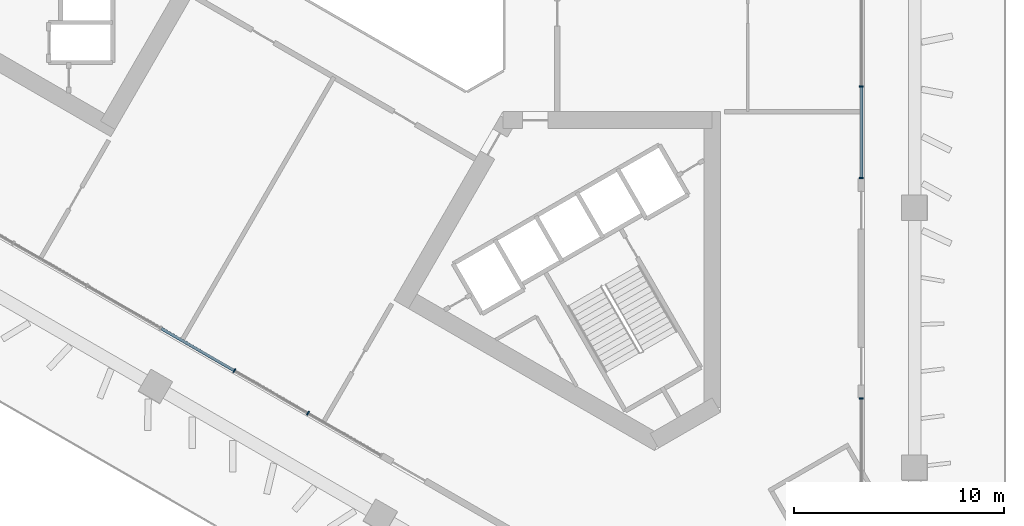
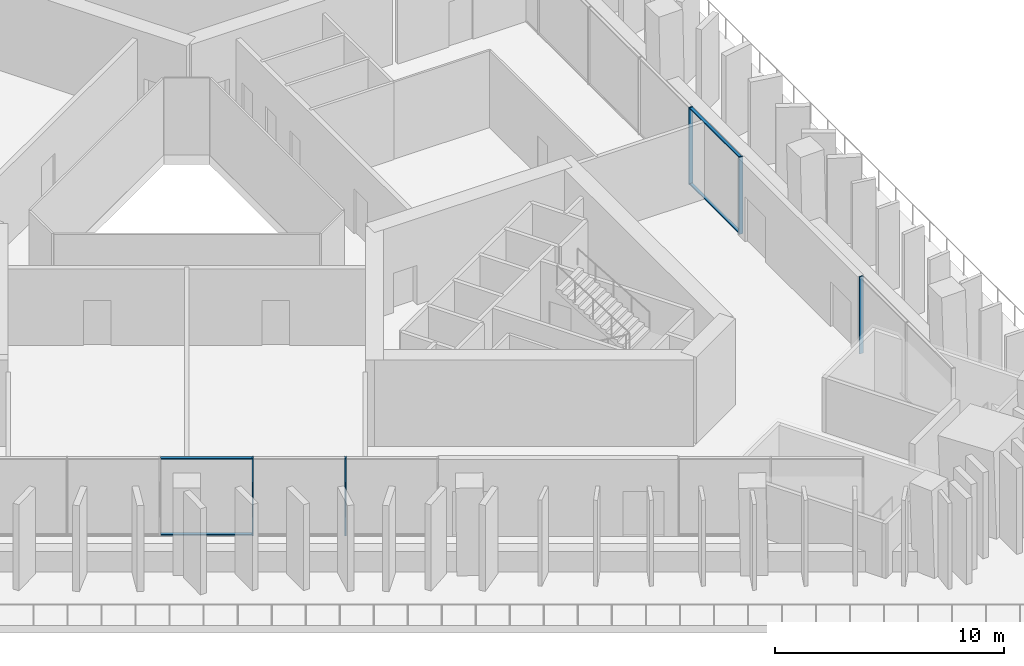
# One storey, part 4 of 31: 9 members, 3 elements without a shape of their own.
"""IFC4 building model written with IfcOpenShell, lengths in metres."""

import ifcopenshell
import ifcopenshell.guid

model = None  # the IFC model being written
_history = None  # IfcOwnerHistory: only IFC2X3 demands one
_inside = {}  # id of a spatial element -> (the spatial element, [elements in it])
_under = {}  # id of a project, library or spatial element -> (it, [spatial elements below it])
_declared = {}  # id of a project -> (the project, [libraries it declares])
_typed = {}  # id of a type object -> (the type object, [elements of that type])
_made_of = {}  # id of a material, layer set ... -> (it, [elements and type objects made of it])


def new_model(schema):
    """Start an empty IFC model of exactly this schema.

    Asked for "IFC4X3", IfcOpenShell would pick the latest addendum, in which some entities
    have other attributes; the version numbers below select the first issue.
    IFC2X3 requires an IfcOwnerHistory on every rooted entity: one is made here for all.
    """
    global model, _history
    if schema == "IFC4X3":
        model = ifcopenshell.file(schema_version=(4, 3, 0, 0))
    else:
        model = ifcopenshell.file(schema=schema)
    _inside.clear()
    _under.clear()
    _declared.clear()
    _typed.clear()
    _made_of.clear()
    _history = None
    if model.schema == "IFC2X3":
        org = make("IfcOrganization", Name="unknown")
        user = make(
            "IfcPersonAndOrganization",
            ThePerson=make("IfcPerson", FamilyName="unknown"),
            TheOrganization=org,
        )
        app = make(
            "IfcApplication",
            ApplicationDeveloper=org,
            Version="unknown",
            ApplicationFullName="unknown",
            ApplicationIdentifier="unknown",
        )
        _history = make(
            "IfcOwnerHistory",
            OwningUser=user,
            OwningApplication=app,
            ChangeAction="ADDED",
            CreationDate=0,
        )
    return model


def make(cls, **values):
    """One entity of the class cls with the attributes given. An attribute that is None is left unset."""
    return model.create_entity(
        cls, **{name: value for name, value in values.items() if value is not None}
    )


def rooted(cls, **values):
    """An entity with a GlobalId (a new one), such as an element, a storey or a relation."""
    return make(cls, GlobalId=ifcopenshell.guid.new(), OwnerHistory=_history, **values)


def si_unit(unit_type, name, prefix=None):
    """IfcSIUnit, for example si_unit("LENGTHUNIT", "METRE", prefix="MILLI")."""
    return make("IfcSIUnit", UnitType=unit_type, Prefix=prefix, Name=name)


def assignment(units):
    """IfcUnitAssignment: the units of a project."""
    return None if units is None else make("IfcUnitAssignment", Units=units)


def point(xyz):
    """IfcCartesianPoint."""
    return None if xyz is None else make("IfcCartesianPoint", Coordinates=xyz)


def direction(xyz):
    """IfcDirection."""
    return None if xyz is None else make("IfcDirection", DirectionRatios=xyz)


def frame(location, z_axis=None, x_axis=None):
    """IfcAxis2Placement3D, a coordinate frame: its origin and axes. An axis left out is left unset."""
    return make(
        "IfcAxis2Placement3D",
        Location=point(location),
        Axis=direction(z_axis),
        RefDirection=direction(x_axis),
    )


def frame_2d(location, x_axis=None):
    """IfcAxis2Placement2D, a coordinate frame in the plane: its origin and x axis."""
    return make(
        "IfcAxis2Placement2D", Location=point(location), RefDirection=direction(x_axis)
    )


def origin():
    """The frame at (0, 0, 0) with its axes left unset."""
    return frame((0.0, 0.0, 0.0))


def origin_2d():
    """The frame at (0, 0) in the plane with its x axis left unset."""
    return frame_2d((0.0, 0.0))


def place(relative_to, where):
    """IfcLocalPlacement: puts the frame where relative to a parent placement (None: the world)."""
    return make(
        "IfcLocalPlacement", PlacementRelTo=relative_to, RelativePlacement=where
    )


def context(
    kind, dimensions, precision=None, world=None, true_north=None, identifier=None
):
    """IfcGeometricRepresentationContext, for example the 3D "Model" context."""
    return make(
        "IfcGeometricRepresentationContext",
        ContextIdentifier=identifier,
        ContextType=kind,
        CoordinateSpaceDimension=dimensions,
        Precision=precision,
        WorldCoordinateSystem=world,
        TrueNorth=true_north,
    )


def subcontext(parent, identifier, kind, view, scale=None):
    """IfcGeometricRepresentationSubContext, for example "Body" below "Model"."""
    return make(
        "IfcGeometricRepresentationSubContext",
        ContextIdentifier=identifier,
        ContextType=kind,
        ParentContext=parent,
        TargetScale=scale,
        TargetView=view,
    )


def project(units=None, contexts=None):
    """IfcProject with its units and contexts."""
    return rooted(
        "IfcProject",
        Name="project",
        RepresentationContexts=contexts,
        UnitsInContext=assignment(units),
    )


def spatial(cls, under=None, at=None, **own):
    """A site, building, storey or space (cls), placed at a placement, below another one or the project."""
    s = rooted(cls, ObjectPlacement=at, **own)
    if under is not None:
        _under.setdefault(under.id(), (under, []))[1].append(s)
    return s


def profile(cls, at=None, kind="AREA", **sizes):
    """A parametric profile (cls). Its sizes go by their IFC names, for example OverallWidth=200.0."""
    return make(cls, ProfileType=kind, Position=at, **sizes)


def rectangle(**sizes):
    """IfcRectangleProfileDef."""
    return profile("IfcRectangleProfileDef", **sizes)


def extrude(swept, where, along, depth):
    """IfcExtrudedAreaSolid: the profile swept, set in the frame where, extruded along a direction by depth."""
    return make(
        "IfcExtrudedAreaSolid",
        SweptArea=swept,
        Position=where,
        ExtrudedDirection=direction(along),
        Depth=depth,
    )


def shape(context_of_items, identifier, shape_type, items):
    """IfcShapeRepresentation: the items that make up one representation, for example the "Body"."""
    return make(
        "IfcShapeRepresentation",
        ContextOfItems=context_of_items,
        RepresentationIdentifier=identifier,
        RepresentationType=shape_type,
        Items=items,
    )


def material(Name=None, Category=None):
    """IfcMaterial."""
    return make("IfcMaterial", Name=Name, Category=Category)


def layer(
    of_material, thickness, ventilated=None, Name=None, Category=None, Priority=None
):
    """IfcMaterialLayer: one layer of a wall or slab, of a material (None: an air gap)."""
    return make(
        "IfcMaterialLayer",
        Material=of_material,
        LayerThickness=thickness,
        IsVentilated=ventilated,
        Name=Name,
        Category=Category,
        Priority=Priority,
    )


def layer_set(layers, Name=None):
    """IfcMaterialLayerSet."""
    return make("IfcMaterialLayerSet", MaterialLayers=layers, LayerSetName=Name)


def material_profile(
    of_material, cross_section, Name=None, Category=None, Priority=None
):
    """IfcMaterialProfile: a cross section and its material."""
    return make(
        "IfcMaterialProfile",
        Name=Name,
        Material=of_material,
        Profile=cross_section,
        Priority=Priority,
        Category=Category,
    )


def profile_set(profiles, Name=None, composite=None):
    """IfcMaterialProfileSet."""
    return make(
        "IfcMaterialProfileSet",
        Name=Name,
        MaterialProfiles=profiles,
        CompositeProfile=composite,
    )


def made_of(thing, what):
    """Note that an element or type object is made of a material, layer set ...; save() writes the relation."""
    if what is not None:
        _made_of.setdefault(what.id(), (what, []))[1].append(thing)
    return thing


def type_object(cls, material=None, **own):
    """A type object (cls), such as IfcWallType, which elements share."""
    return made_of(rooted(cls, **own), material)


def element(
    cls,
    number,
    at=None,
    inside=None,
    cuts=None,
    type_object=None,
    material=None,
    context=None,
    identifier="Body",
    shape_type=None,
    held_by="IfcProductDefinitionShape",
    body=None,
    shapes=None,
    **own,
):
    """One element of the class cls, such as IfcWall. Its Tag is "e" and its number.

    at: its placement. inside: the storey or other place that contains it. cuts: it is an
    opening in that element (IfcRelVoidsElement). A single representation is given by context,
    identifier, shape_type and body (its items); several are given by shapes. held_by: the class
    of the entity that holds the representations. save() writes the other relations.
    """
    e = rooted(cls, Tag="e%d" % number, ObjectPlacement=at, **own)
    if body is not None:
        shapes = [shape(context, identifier, shape_type, body)]
    if shapes is not None:
        e.Representation = make(held_by, Representations=shapes)
    if inside is not None:
        _inside.setdefault(inside.id(), (inside, []))[1].append(e)
    if cuts is not None:
        rooted(
            "IfcRelVoidsElement", RelatingBuildingElement=cuts, RelatedOpeningElement=e
        )
    if type_object is not None:
        _typed.setdefault(type_object.id(), (type_object, []))[1].append(e)
    return made_of(e, material)


def aggregate(whole, parts):
    """IfcRelAggregates: a whole, such as a stair, and the parts it consists of."""
    return rooted("IfcRelAggregates", RelatingObject=whole, RelatedObjects=parts)


def save(model, path):
    """Write the relations noted so far, then the file.

    IfcRelAggregates (storeys below a building ...), IfcRelContainedInSpatialStructure (elements
    in a storey), IfcRelDefinesByType, IfcRelAssociatesMaterial and IfcRelDeclares: one each for
    every whole, place, type object, material and project.
    """
    for whole, parts in _under.values():
        aggregate(whole, parts)
    for where, things in _inside.values():
        rooted(
            "IfcRelContainedInSpatialStructure",
            RelatedElements=things,
            RelatingStructure=where,
        )
    for kind, things in _typed.values():
        rooted("IfcRelDefinesByType", RelatedObjects=things, RelatingType=kind)
    for what, things in _made_of.values():
        rooted("IfcRelAssociatesMaterial", RelatedObjects=things, RelatingMaterial=what)
    for by, libraries in _declared.values():
        rooted("IfcRelDeclares", RelatingContext=by, RelatedDefinitions=libraries)
    model.write(path)


model = new_model("IFC4")

# Units and contexts
model_context = context("Model", 3, precision=1e-05, world=origin(), true_north=direction((0.0, 1.0)))
body_context = subcontext(model_context, "Body", "Model", "MODEL_VIEW")
ifc_project = project(units=[si_unit("LENGTHUNIT", "METRE"), si_unit("AREAUNIT", "SQUARE_METRE"), si_unit("VOLUMEUNIT", "CUBIC_METRE"), si_unit("PLANEANGLEUNIT", "RADIAN"), si_unit("MASSUNIT", "GRAM", prefix="KILO")], contexts=[model_context])

# Site, building, storey
site_placement = place(None, origin())
site = spatial("IfcSite", under=ifc_project, at=site_placement, CompositionType="ELEMENT")
building_placement = place(site_placement, origin())
building = spatial("IfcBuilding", under=site, at=building_placement, Name="Jabali Bay Hotel Tower and Convention Centre", CompositionType="ELEMENT")
storey_placement = place(building_placement, frame((0.0, 0.0, 25.39990234375)))
storey = spatial("IfcBuildingStorey", under=building, at=storey_placement, Name="L04", CompositionType="ELEMENT", Elevation=25.39990234375)

# Curtain wall, member
ifc_material_1 = material(Name="Aluminium and glass", Category="aluminium")
ifc_layer = layer(ifc_material_1, 0.199951171875)
ifc_layer_set = layer_set([ifc_layer], Name="Aluminium and glass")
curtain_wall_type = type_object("IfcCurtainWallType", Name="CW6 curtain wall", PredefinedType="NOTDEFINED", material=ifc_layer_set)
curtain_wall_1_placement = place(storey_placement, origin())
curtain_wall_1 = element("IfcCurtainWall", 1, at=curtain_wall_1_placement, inside=storey, type_object=curtain_wall_type, Name="CW6 curtain wall east face L04", PredefinedType="NOTDEFINED")
ifc_material_2 = material(Name="Aluminium", Category="aluminium")
ifc_material_profile_1 = material_profile(ifc_material_2, rectangle(XDim=0.199951171875, YDim=0.06005859375, at=origin_2d()), Name="CW6 mullion 60 x 200")
ifc_profile_set_1 = profile_set([ifc_material_profile_1], Name="Aluminium")
member_type_1 = type_object("IfcMemberType", Name="CW6 mullion 60 x 200", PredefinedType="MULLION", material=ifc_profile_set_1)
member_1_placement = place(storey_placement, frame((96.5927734375, 58.533203125, 0.0), z_axis=(0.0, 0.0, 1.0), x_axis=(1.0, 0.0, 0.0)))
member_1 = element("IfcMember", 2, at=member_1_placement, type_object=member_type_1, Name="CW6 mullion 1", PredefinedType="MULLION", context=body_context, shape_type="SweptSolid", body=[
    extrude(rectangle(XDim=0.199951171875, YDim=0.06005859375, at=origin_2d()), origin(), (0.0, 0.0, 1.0), 4.10009765625),
])
aggregate(curtain_wall_1, [member_1])

# Curtain wall, members
curtain_wall_2_placement = place(storey_placement, origin())
curtain_wall_2 = element("IfcCurtainWall", 3, at=curtain_wall_2_placement, inside=storey, type_object=curtain_wall_type, Name="CW6 curtain wall east face L04", PredefinedType="NOTDEFINED")
member_2_placement = place(storey_placement, frame((96.5927734375, 73.40478515625, 0.0), z_axis=(0.0, 0.0, 1.0), x_axis=(1.0, 0.0, 0.0)))
member_2 = element("IfcMember", 4, at=member_2_placement, type_object=member_type_1, Name="CW6 mullion 5", PredefinedType="MULLION", context=body_context, shape_type="SweptSolid", body=[
    extrude(rectangle(XDim=0.199951171875, YDim=0.06005859375, at=origin_2d()), origin(), (0.0, 0.0, 1.0), 4.10009765625),
])
member_3_placement = place(storey_placement, frame((96.5927734375, 69.037841796875, 0.0), z_axis=(0.0, 0.0, 1.0), x_axis=(1.0, 0.0, 0.0)))
member_3 = element("IfcMember", 5, at=member_3_placement, type_object=member_type_1, Name="CW6 mullion 6", PredefinedType="MULLION", context=body_context, shape_type="SweptSolid", body=[
    extrude(rectangle(XDim=0.199951171875, YDim=0.06005859375, at=origin_2d()), origin(), (0.0, 0.0, 1.0), 4.10009765625),
])

curtain_wall_3_placement = place(storey_placement, origin())
curtain_wall_3 = element("IfcCurtainWall", 6, at=curtain_wall_3_placement, inside=storey, type_object=curtain_wall_type, Name="CW6 curtain wall south-west face L04", PredefinedType="NOTDEFINED")
member_4_placement = place(storey_placement, frame((70.21240234375, 57.830810546875, 0.0), z_axis=(0.0, 0.0, 1.0), x_axis=(-0.499999997944, -0.866025404971, 0.0)))
member_4 = element("IfcMember", 7, at=member_4_placement, type_object=member_type_1, Name="CW6 mullion 2", PredefinedType="MULLION", context=body_context, shape_type="SweptSolid", body=[
    extrude(rectangle(XDim=0.199951171875, YDim=0.06005859375, at=origin_2d()), origin(), (0.0, 0.0, 1.0), 4.10009765625),
])
member_5_placement = place(storey_placement, frame((66.70166015625, 59.857666015625, 0.0), z_axis=(0.0, 0.0, 1.0), x_axis=(-0.499999997944, -0.866025404971, 0.0)))
member_5 = element("IfcMember", 8, at=member_5_placement, type_object=member_type_1, Name="CW6 mullion 3", PredefinedType="MULLION", context=body_context, shape_type="SweptSolid", body=[
    extrude(rectangle(XDim=0.199951171875, YDim=0.06005859375, at=origin_2d()), origin(), (0.0, 0.0, 1.0), 4.10009765625),
])

# Member
ifc_material_profile_2 = material_profile(ifc_material_2, rectangle(XDim=0.139892578125, YDim=0.06005859375, at=origin_2d()), Name="CW6 transom 60 x 140")
ifc_profile_set_2 = profile_set([ifc_material_profile_2], Name="Aluminium")
member_type_2 = type_object("IfcMemberType", Name="CW6 transom 60 x 140", PredefinedType="USERDEFINED", material=ifc_profile_set_2)
member_6_placement = place(storey_placement, frame((96.5927734375, 73.374755859375, 0.030029296875), z_axis=(0.0, -1.0, 0.0), x_axis=(1.0, 0.0, 0.0)))
member_6 = element("IfcMember", 9, at=member_6_placement, type_object=member_type_2, Name="CW6 transom 5.1", ObjectType="TRANSOM", PredefinedType="USERDEFINED", context=body_context, shape_type="SweptSolid", body=[
    extrude(rectangle(XDim=0.139892578125, YDim=0.06005859375, at=origin_2d()), origin(), (0.0, 0.0, 1.0), 4.306884765625),
])

member_7_placement = place(storey_placement, frame((96.5927734375, 73.374755859375, 4.070068359375), z_axis=(0.0, -1.0, 0.0), x_axis=(1.0, 0.0, 0.0)))
member_7 = element("IfcMember", 10, at=member_7_placement, type_object=member_type_2, Name="CW6 transom 5.2", ObjectType="TRANSOM", PredefinedType="USERDEFINED", context=body_context, shape_type="SweptSolid", body=[
    extrude(rectangle(XDim=0.139892578125, YDim=0.06005859375, at=origin_2d()), origin(), (0.0, 0.0, 1.0), 4.306884765625),
])

aggregate(curtain_wall_2, [member_2, member_3, member_6, member_7])

member_8_placement = place(storey_placement, frame((66.67578125, 59.872802734375, 0.030029296875), z_axis=(-0.866033907579, 0.499985270706, 0.0), x_axis=(-0.499985270706, -0.866033907579, 0.0)))
member_8 = element("IfcMember", 11, at=member_8_placement, type_object=member_type_2, Name="CW6 transom 3.1", ObjectType="TRANSOM", PredefinedType="USERDEFINED", context=body_context, shape_type="SweptSolid", body=[
    extrude(rectangle(XDim=0.139892578125, YDim=0.06005859375, at=origin_2d()), origin(), (0.0, 0.0, 1.0), 3.99365234375),
])

member_9_placement = place(storey_placement, frame((66.67578125, 59.872802734375, 4.070068359375), z_axis=(-0.866033907579, 0.499985270706, 0.0), x_axis=(-0.499985270706, -0.866033907579, 0.0)))
member_9 = element("IfcMember", 12, at=member_9_placement, type_object=member_type_2, Name="CW6 transom 3.2", ObjectType="TRANSOM", PredefinedType="USERDEFINED", context=body_context, shape_type="SweptSolid", body=[
    extrude(rectangle(XDim=0.139892578125, YDim=0.06005859375, at=origin_2d()), origin(), (0.0, 0.0, 1.0), 3.99365234375),
])

aggregate(curtain_wall_3, [member_4, member_5, member_8, member_9])

save(model, "model.ifc")
